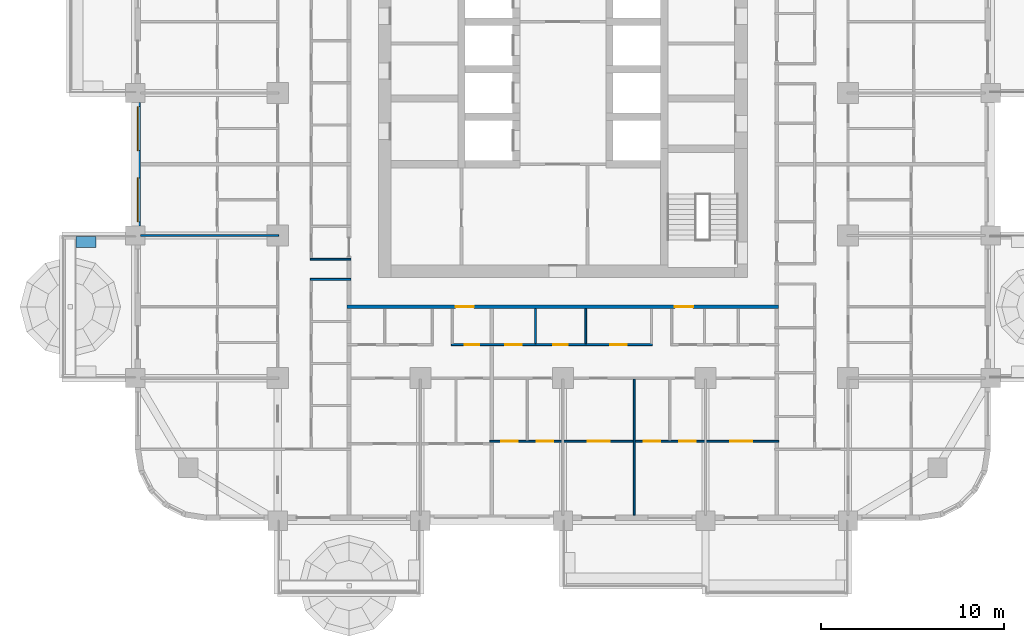
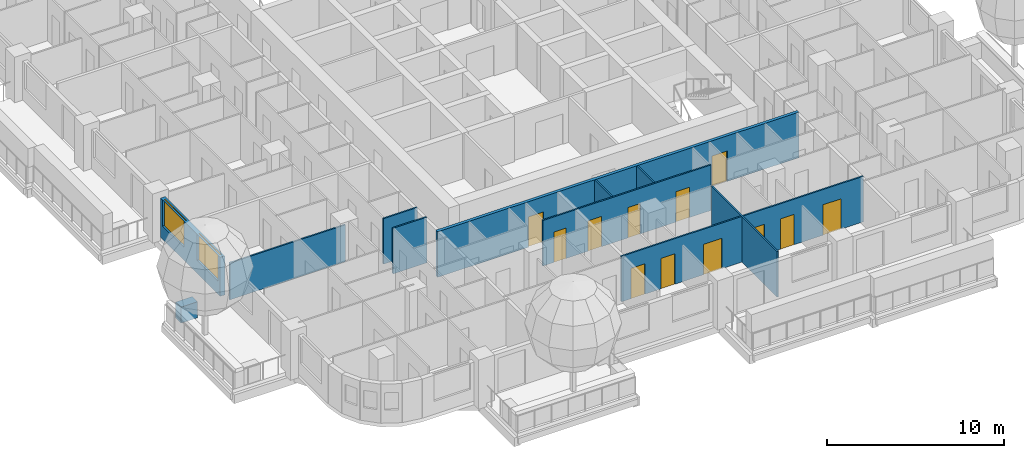
# One storey, part 4 of 19: 12 doors, 11 walls, 2 windows, 14 openings.
"""IFC4 building model written with IfcOpenShell, lengths in metres."""

import ifcopenshell
import ifcopenshell.guid

model = None  # the IFC model being written
_history = None  # IfcOwnerHistory: only IFC2X3 demands one
_inside = {}  # id of a spatial element -> (the spatial element, [elements in it])
_under = {}  # id of a project, library or spatial element -> (it, [spatial elements below it])
_declared = {}  # id of a project -> (the project, [libraries it declares])
_typed = {}  # id of a type object -> (the type object, [elements of that type])
_made_of = {}  # id of a material, layer set ... -> (it, [elements and type objects made of it])


def new_model(schema):
    """Start an empty IFC model of exactly this schema.

    Asked for "IFC4X3", IfcOpenShell would pick the latest addendum, in which some entities
    have other attributes; the version numbers below select the first issue.
    IFC2X3 requires an IfcOwnerHistory on every rooted entity: one is made here for all.
    """
    global model, _history
    if schema == "IFC4X3":
        model = ifcopenshell.file(schema_version=(4, 3, 0, 0))
    else:
        model = ifcopenshell.file(schema=schema)
    _inside.clear()
    _under.clear()
    _declared.clear()
    _typed.clear()
    _made_of.clear()
    _history = None
    if model.schema == "IFC2X3":
        org = make("IfcOrganization", Name="unknown")
        user = make(
            "IfcPersonAndOrganization",
            ThePerson=make("IfcPerson", FamilyName="unknown"),
            TheOrganization=org,
        )
        app = make(
            "IfcApplication",
            ApplicationDeveloper=org,
            Version="unknown",
            ApplicationFullName="unknown",
            ApplicationIdentifier="unknown",
        )
        _history = make(
            "IfcOwnerHistory",
            OwningUser=user,
            OwningApplication=app,
            ChangeAction="ADDED",
            CreationDate=0,
        )
    return model


def make(cls, **values):
    """One entity of the class cls with the attributes given. An attribute that is None is left unset."""
    return model.create_entity(
        cls, **{name: value for name, value in values.items() if value is not None}
    )


def rooted(cls, **values):
    """An entity with a GlobalId (a new one), such as an element, a storey or a relation."""
    return make(cls, GlobalId=ifcopenshell.guid.new(), OwnerHistory=_history, **values)


def si_unit(unit_type, name, prefix=None):
    """IfcSIUnit, for example si_unit("LENGTHUNIT", "METRE", prefix="MILLI")."""
    return make("IfcSIUnit", UnitType=unit_type, Prefix=prefix, Name=name)


def assignment(units):
    """IfcUnitAssignment: the units of a project."""
    return None if units is None else make("IfcUnitAssignment", Units=units)


def point(xyz):
    """IfcCartesianPoint."""
    return None if xyz is None else make("IfcCartesianPoint", Coordinates=xyz)


def direction(xyz):
    """IfcDirection."""
    return None if xyz is None else make("IfcDirection", DirectionRatios=xyz)


def frame(location, z_axis=None, x_axis=None):
    """IfcAxis2Placement3D, a coordinate frame: its origin and axes. An axis left out is left unset."""
    return make(
        "IfcAxis2Placement3D",
        Location=point(location),
        Axis=direction(z_axis),
        RefDirection=direction(x_axis),
    )


def frame_2d(location, x_axis=None):
    """IfcAxis2Placement2D, a coordinate frame in the plane: its origin and x axis."""
    return make(
        "IfcAxis2Placement2D", Location=point(location), RefDirection=direction(x_axis)
    )


def origin():
    """The frame at (0, 0, 0) with its axes left unset."""
    return frame((0.0, 0.0, 0.0))


def place(relative_to, where):
    """IfcLocalPlacement: puts the frame where relative to a parent placement (None: the world)."""
    return make(
        "IfcLocalPlacement", PlacementRelTo=relative_to, RelativePlacement=where
    )


def context(
    kind, dimensions, precision=None, world=None, true_north=None, identifier=None
):
    """IfcGeometricRepresentationContext, for example the 3D "Model" context."""
    return make(
        "IfcGeometricRepresentationContext",
        ContextIdentifier=identifier,
        ContextType=kind,
        CoordinateSpaceDimension=dimensions,
        Precision=precision,
        WorldCoordinateSystem=world,
        TrueNorth=true_north,
    )


def subcontext(parent, identifier, kind, view, scale=None):
    """IfcGeometricRepresentationSubContext, for example "Body" below "Model"."""
    return make(
        "IfcGeometricRepresentationSubContext",
        ContextIdentifier=identifier,
        ContextType=kind,
        ParentContext=parent,
        TargetScale=scale,
        TargetView=view,
    )


def project(units=None, contexts=None):
    """IfcProject with its units and contexts."""
    return rooted(
        "IfcProject",
        Name="project",
        RepresentationContexts=contexts,
        UnitsInContext=assignment(units),
    )


def spatial(cls, under=None, at=None, **own):
    """A site, building, storey or space (cls), placed at a placement, below another one or the project."""
    s = rooted(cls, ObjectPlacement=at, **own)
    if under is not None:
        _under.setdefault(under.id(), (under, []))[1].append(s)
    return s


def profile(cls, at=None, kind="AREA", **sizes):
    """A parametric profile (cls). Its sizes go by their IFC names, for example OverallWidth=200.0."""
    return make(cls, ProfileType=kind, Position=at, **sizes)


def rectangle(**sizes):
    """IfcRectangleProfileDef."""
    return profile("IfcRectangleProfileDef", **sizes)


def extrude(swept, where, along, depth):
    """IfcExtrudedAreaSolid: the profile swept, set in the frame where, extruded along a direction by depth."""
    return make(
        "IfcExtrudedAreaSolid",
        SweptArea=swept,
        Position=where,
        ExtrudedDirection=direction(along),
        Depth=depth,
    )


def shape(context_of_items, identifier, shape_type, items):
    """IfcShapeRepresentation: the items that make up one representation, for example the "Body"."""
    return make(
        "IfcShapeRepresentation",
        ContextOfItems=context_of_items,
        RepresentationIdentifier=identifier,
        RepresentationType=shape_type,
        Items=items,
    )


def material(Name=None, Category=None):
    """IfcMaterial."""
    return make("IfcMaterial", Name=Name, Category=Category)


def layer(
    of_material, thickness, ventilated=None, Name=None, Category=None, Priority=None
):
    """IfcMaterialLayer: one layer of a wall or slab, of a material (None: an air gap)."""
    return make(
        "IfcMaterialLayer",
        Material=of_material,
        LayerThickness=thickness,
        IsVentilated=ventilated,
        Name=Name,
        Category=Category,
        Priority=Priority,
    )


def layer_set(layers, Name=None):
    """IfcMaterialLayerSet."""
    return make("IfcMaterialLayerSet", MaterialLayers=layers, LayerSetName=Name)


def made_of(thing, what):
    """Note that an element or type object is made of a material, layer set ...; save() writes the relation."""
    if what is not None:
        _made_of.setdefault(what.id(), (what, []))[1].append(thing)
    return thing


def type_object(cls, material=None, **own):
    """A type object (cls), such as IfcWallType, which elements share."""
    return made_of(rooted(cls, **own), material)


def element(
    cls,
    number,
    at=None,
    inside=None,
    cuts=None,
    type_object=None,
    material=None,
    context=None,
    identifier="Body",
    shape_type=None,
    held_by="IfcProductDefinitionShape",
    body=None,
    shapes=None,
    **own,
):
    """One element of the class cls, such as IfcWall. Its Tag is "e" and its number.

    at: its placement. inside: the storey or other place that contains it. cuts: it is an
    opening in that element (IfcRelVoidsElement). A single representation is given by context,
    identifier, shape_type and body (its items); several are given by shapes. held_by: the class
    of the entity that holds the representations. save() writes the other relations.
    """
    e = rooted(cls, Tag="e%d" % number, ObjectPlacement=at, **own)
    if body is not None:
        shapes = [shape(context, identifier, shape_type, body)]
    if shapes is not None:
        e.Representation = make(held_by, Representations=shapes)
    if inside is not None:
        _inside.setdefault(inside.id(), (inside, []))[1].append(e)
    if cuts is not None:
        rooted(
            "IfcRelVoidsElement", RelatingBuildingElement=cuts, RelatedOpeningElement=e
        )
    if type_object is not None:
        _typed.setdefault(type_object.id(), (type_object, []))[1].append(e)
    return made_of(e, material)


def fill(opening, filler):
    """IfcRelFillsElement: the door or window that sits in an opening."""
    return rooted(
        "IfcRelFillsElement",
        RelatingOpeningElement=opening,
        RelatedBuildingElement=filler,
    )


def aggregate(whole, parts):
    """IfcRelAggregates: a whole, such as a stair, and the parts it consists of."""
    return rooted("IfcRelAggregates", RelatingObject=whole, RelatedObjects=parts)


def save(model, path):
    """Write the relations noted so far, then the file.

    IfcRelAggregates (storeys below a building ...), IfcRelContainedInSpatialStructure (elements
    in a storey), IfcRelDefinesByType, IfcRelAssociatesMaterial and IfcRelDeclares: one each for
    every whole, place, type object, material and project.
    """
    for whole, parts in _under.values():
        aggregate(whole, parts)
    for where, things in _inside.values():
        rooted(
            "IfcRelContainedInSpatialStructure",
            RelatedElements=things,
            RelatingStructure=where,
        )
    for kind, things in _typed.values():
        rooted("IfcRelDefinesByType", RelatedObjects=things, RelatingType=kind)
    for what, things in _made_of.values():
        rooted("IfcRelAssociatesMaterial", RelatedObjects=things, RelatingMaterial=what)
    for by, libraries in _declared.values():
        rooted("IfcRelDeclares", RelatingContext=by, RelatedDefinitions=libraries)
    model.write(path)


model = new_model("IFC4")

# Units and contexts
model_context = context("Model", 3, precision=1e-05, world=origin(), true_north=direction((0.0, 1.0)))
body_context = subcontext(model_context, "Body", "Model", "MODEL_VIEW")
ifc_project = project(units=[si_unit("LENGTHUNIT", "METRE"), si_unit("AREAUNIT", "SQUARE_METRE"), si_unit("VOLUMEUNIT", "CUBIC_METRE"), si_unit("PLANEANGLEUNIT", "RADIAN"), si_unit("MASSUNIT", "GRAM", prefix="KILO")], contexts=[model_context])

# Site, building, storey
site_placement = place(None, origin())
site = spatial("IfcSite", under=ifc_project, at=site_placement, CompositionType="ELEMENT")
building_placement = place(site_placement, origin())
building = spatial("IfcBuilding", under=site, at=building_placement, Name="Ludao Terraces", CompositionType="ELEMENT")
storey_placement = place(building_placement, frame((0.0, 0.0, 36.5)))
storey = spatial("IfcBuildingStorey", under=building, at=storey_placement, Name="L09", CompositionType="ELEMENT", Elevation=36.5)

# Wall
ifc_material_1 = material(Name="Concrete C40", Category="concrete")
ifc_layer_1 = layer(ifc_material_1, 0.60009765625)
ifc_layer_set_1 = layer_set([ifc_layer_1], Name="ENV Planter trough 600")
wall_type_1 = type_object("IfcWallType", Name="ENV Planter trough 600", PredefinedType="USERDEFINED", material=ifc_layer_set_1)
wall_1_placement = place(storey_placement, frame((58.35009765625, 56.85009765625, 0.0), z_axis=(0.0, 0.0, 1.0), x_axis=(1.0, 0.0, 0.0)))
element("IfcWall", 1, at=wall_1_placement, inside=storey, type_object=wall_type_1, Name="PL-L09-W1-SB", ObjectType="PLANTER", PredefinedType="USERDEFINED", context=body_context, shape_type="SweptSolid", body=[
    extrude(rectangle(XDim=1.099853515625, YDim=0.60009765625, at=frame_2d((0.5498046875, 0.0))), origin(), (0.0, 0.0, 1.0), 1.10009765625),
])

# Wall, openings, windows
ifc_material_2 = material(Name="Granite cladding", Category="masonry")
ifc_layer_2 = layer(ifc_material_2, 0.0400390625, Category="stone")
ifc_material_3 = material(Name="Mineral wool")
ifc_layer_3 = layer(ifc_material_3, 0.06005859375)
ifc_layer_4 = layer(ifc_material_1, 0.199951171875, Category="concrete")
ifc_layer_set_2 = layer_set([ifc_layer_2, ifc_layer_3, ifc_layer_4], Name="ENV Stone-clad wall 300")
wall_type_2 = type_object("IfcWallType", Name="ENV Stone-clad wall 300", PredefinedType="SOLIDWALL", material=ifc_layer_set_2)
wall_2_placement = place(storey_placement, frame((61.75, 57.72509765625, 0.0), z_axis=(0.0, 0.0, 1.0), x_axis=(0.0, 1.0, 0.0)))
wall_2 = element("IfcWall", 2, at=wall_2_placement, inside=storey, type_object=wall_type_2, Name="EW-L09-W3", PredefinedType="SOLIDWALL", context=body_context, shape_type="SweptSolid", body=[
    extrude(rectangle(XDim=6.75, YDim=0.300048828125, at=frame_2d((3.375, 0.0))), origin(), (0.0, 0.0, 1.0), 2.699951171875),
])
opening_1_placement = place(wall_2_placement, frame((0.22509765625, 0.0, 0.89990234375)))
opening_1 = element("IfcOpeningElement", 3, at=opening_1_placement, cuts=wall_2, Name="Opening W1", PredefinedType="OPENING", context=body_context, shape_type="SweptSolid", body=[
    extrude(rectangle(XDim=2.39990234375, YDim=1.800048828125, at=frame_2d((1.199951171875, 0.89990234375))), frame((0.0, 0.16015625, 0.0), z_axis=(0.0, -1.0, 0.0), x_axis=(1.0, 0.0, 0.0)), (0.0, 0.0, 1.0), 0.320068359375),
])
opening_2_placement = place(wall_2_placement, frame((4.125, 0.0, 0.89990234375)))
opening_2 = element("IfcOpeningElement", 4, at=opening_2_placement, cuts=wall_2, Name="Opening W1", PredefinedType="OPENING", context=body_context, shape_type="SweptSolid", body=[
    extrude(rectangle(XDim=2.39990234375, YDim=1.800048828125, at=frame_2d((1.199951171875, 0.89990234375))), frame((0.0, 0.16015625, 0.0), z_axis=(0.0, -1.0, 0.0), x_axis=(1.0, 0.0, 0.0)), (0.0, 0.0, 1.0), 0.320068359375),
])
ifc_material_4 = material(Name="Clear glass in aluminium frame", Category="aluminium")
ifc_layer_5 = layer(ifc_material_4, 0.06005859375)
ifc_layer_set_3 = layer_set([ifc_layer_5], Name="ENV Window W1 2400x1800")
window_type = type_object("IfcWindowType", Name="ENV Window W1 2400x1800", PartitioningType="DOUBLE_PANEL_VERTICAL", PredefinedType="WINDOW", material=ifc_layer_set_3)
window_1_placement = place(opening_1_placement, origin())
window_1 = element("IfcWindow", 5, at=window_1_placement, inside=storey, type_object=window_type, Name="W-L09-W3-1", OverallHeight=1.800048828125, OverallWidth=2.39990234375, PartitioningType="DOUBLE_PANEL_VERTICAL", PredefinedType="WINDOW", context=body_context, shape_type="SweptSolid", body=[
    extrude(rectangle(XDim=2.39990234375, YDim=1.800048828125, at=frame_2d((1.199951171875, 0.89990234375))), frame((0.0, 0.030029296875, 0.0), z_axis=(0.0, -1.0, 0.0), x_axis=(1.0, 0.0, 0.0)), (0.0, 0.0, 1.0), 0.06005859375),
])
fill(opening_1, window_1)
window_2_placement = place(opening_2_placement, origin())
window_2 = element("IfcWindow", 6, at=window_2_placement, inside=storey, type_object=window_type, Name="W-L09-W3-2", OverallHeight=1.800048828125, OverallWidth=2.39990234375, PartitioningType="DOUBLE_PANEL_VERTICAL", PredefinedType="WINDOW", context=body_context, shape_type="SweptSolid", body=[
    extrude(rectangle(XDim=2.39990234375, YDim=1.800048828125, at=frame_2d((1.199951171875, 0.89990234375))), frame((0.0, 0.030029296875, 0.0), z_axis=(0.0, -1.0, 0.0), x_axis=(1.0, 0.0, 0.0)), (0.0, 0.0, 1.0), 0.06005859375),
])
fill(opening_2, window_2)

# Wall, openings, doors
ifc_material_5 = material(Name="Autoclaved aerated concrete block B06 A3.5", Category="concrete")
ifc_layer_6 = layer(ifc_material_5, 0.199951171875)
ifc_layer_set_4 = layer_set([ifc_layer_6], Name="INT Entrance wall 200")
wall_type_3 = type_object("IfcWallType", Name="INT Entrance wall 200", PredefinedType="PARTITIONING", material=ifc_layer_set_4)
wall_3_placement = place(storey_placement, frame((73.2001953125, 53.300048828125, 0.0), z_axis=(0.0, 0.0, 1.0), x_axis=(1.0, 0.0, 0.0)))
wall_3 = element("IfcWall", 7, at=wall_3_placement, inside=storey, type_object=wall_type_3, Name="PW-L09-PW019", PredefinedType="PARTITIONING", context=body_context, shape_type="SweptSolid", body=[
    extrude(rectangle(XDim=23.599853515625, YDim=0.199951171875, at=frame_2d((11.7998046875, 0.0))), origin(), (0.0, 0.0, 1.0), 3.14990234375),
])
opening_3_placement = place(wall_3_placement, frame((5.9248046875, 0.0, 0.0)))
opening_3 = element("IfcOpeningElement", 8, at=opening_3_placement, cuts=wall_3, Name="Opening R02-047", PredefinedType="OPENING", context=body_context, shape_type="SweptSolid", body=[
    extrude(rectangle(XDim=1.0, YDim=2.10009765625, at=frame_2d((0.5, 1.050048828125))), frame((0.0, 0.10986328125, 0.0), z_axis=(0.0, -1.0, 0.0), x_axis=(1.0, 0.0, 0.0)), (0.0, 0.0, 1.0), 0.219970703125),
])
opening_4_placement = place(wall_3_placement, frame((17.9248046875, 0.0, 0.0)))
opening_4 = element("IfcOpeningElement", 9, at=opening_4_placement, cuts=wall_3, Name="Opening R02-048", PredefinedType="OPENING", context=body_context, shape_type="SweptSolid", body=[
    extrude(rectangle(XDim=1.0, YDim=2.10009765625, at=frame_2d((0.5, 1.050048828125))), frame((0.0, 0.10986328125, 0.0), z_axis=(0.0, -1.0, 0.0), x_axis=(1.0, 0.0, 0.0)), (0.0, 0.0, 1.0), 0.219970703125),
])
ifc_material_6 = material(Name="Steel Q235", Category="steel")
door_type_1 = type_object("IfcDoorType", Name="INT Flat entrance door 1000", OperationType="SINGLE_SWING_LEFT", PredefinedType="DOOR", material=ifc_material_6)
door_1_placement = place(opening_3_placement, origin())
door_1 = element("IfcDoor", 10, at=door_1_placement, inside=storey, type_object=door_type_1, Name="DOOR 047", OperationType="SINGLE_SWING_LEFT", OverallHeight=2.10009765625, OverallWidth=1.0, PredefinedType="DOOR", context=body_context, shape_type="SweptSolid", body=[
    extrude(rectangle(XDim=1.0, YDim=2.10009765625, at=frame_2d((0.5, 1.050048828125))), frame((0.0, 0.02490234375, 0.0), z_axis=(0.0, -1.0, 0.0), x_axis=(1.0, 0.0, 0.0)), (0.0, 0.0, 1.0), 0.050048828125),
])
fill(opening_3, door_1)
door_2_placement = place(opening_4_placement, origin())
door_2 = element("IfcDoor", 11, at=door_2_placement, inside=storey, type_object=door_type_1, Name="DOOR 048", OperationType="SINGLE_SWING_LEFT", OverallHeight=2.10009765625, OverallWidth=1.0, PredefinedType="DOOR", context=body_context, shape_type="SweptSolid", body=[
    extrude(rectangle(XDim=1.0, YDim=2.10009765625, at=frame_2d((0.5, 1.050048828125))), frame((0.0, 0.02490234375, 0.0), z_axis=(0.0, -1.0, 0.0), x_axis=(1.0, 0.0, 0.0)), (0.0, 0.0, 1.0), 0.050048828125),
])
fill(opening_4, door_2)

ifc_material_7 = material(Name="Gypsum plasterboard", Category="gypsum")
ifc_layer_7 = layer(ifc_material_7, 0.012451171875, Category="gypsum")
ifc_layer_8 = layer(ifc_material_3, 0.06005859375, Name="insulation")
ifc_layer_9 = layer(ifc_material_6, 0.014892578125, Name="stud")
ifc_layer_10 = layer(ifc_material_7, 0.012451171875, Category="gypsum")
ifc_layer_set_5 = layer_set([ifc_layer_7, ifc_layer_8, ifc_layer_9, ifc_layer_10], Name="INT Partition 100")
wall_type_4 = type_object("IfcWallType", Name="INT Partition 100", PredefinedType="PARTITIONING", material=ifc_layer_set_5)
wall_4_placement = place(storey_placement, frame((81.0, 45.949951171875, 0.0), z_axis=(0.0, 0.0, 1.0), x_axis=(1.0, 0.0, 0.0)))
wall_4 = element("IfcWall", 12, at=wall_4_placement, inside=storey, type_object=wall_type_4, Name="PW-L09-PW003", PredefinedType="PARTITIONING", context=body_context, shape_type="SweptSolid", body=[
    extrude(rectangle(XDim=15.800048828125, YDim=0.10009765625, at=frame_2d((7.89990234375, 0.0))), origin(), (0.0, 0.0, 1.0), 3.14990234375),
])
opening_5_placement = place(wall_4_placement, frame((0.625, 0.0, 0.0)))
opening_5 = element("IfcOpeningElement", 13, at=opening_5_placement, cuts=wall_4, Name="Opening R02-010", PredefinedType="OPENING", context=body_context, shape_type="SweptSolid", body=[
    extrude(rectangle(XDim=0.89990234375, YDim=2.10009765625, at=frame_2d((0.449951171875, 1.050048828125))), frame((0.0, 0.06005859375, 0.0), z_axis=(0.0, -1.0, 0.0), x_axis=(1.0, 0.0, 0.0)), (0.0, 0.0, 1.0), 0.1201171875),
])
opening_6_placement = place(wall_4_placement, frame((2.5751953125, 0.0, 0.0)))
opening_6 = element("IfcOpeningElement", 14, at=opening_6_placement, cuts=wall_4, Name="Opening R02-011", PredefinedType="OPENING", context=body_context, shape_type="SweptSolid", body=[
    extrude(rectangle(XDim=0.89990234375, YDim=2.10009765625, at=frame_2d((0.449951171875, 1.050048828125))), frame((0.0, 0.06005859375, 0.0), z_axis=(0.0, -1.0, 0.0), x_axis=(1.0, 0.0, 0.0)), (0.0, 0.0, 1.0), 0.1201171875),
])
opening_7_placement = place(wall_4_placement, frame((5.35009765625, 0.0, 0.0)))
opening_7 = element("IfcOpeningElement", 15, at=opening_7_placement, cuts=wall_4, Name="Opening R02-012", PredefinedType="OPENING", context=body_context, shape_type="SweptSolid", body=[
    extrude(rectangle(XDim=1.199951171875, YDim=2.10009765625, at=frame_2d((0.60009765625, 1.050048828125))), frame((0.0, 0.06005859375, 0.0), z_axis=(0.0, -1.0, 0.0), x_axis=(1.0, 0.0, 0.0)), (0.0, 0.0, 1.0), 0.1201171875),
])
opening_8_placement = place(wall_4_placement, frame((8.425048828125, 0.0, 0.0)))
opening_8 = element("IfcOpeningElement", 16, at=opening_8_placement, cuts=wall_4, Name="Opening R02-013", PredefinedType="OPENING", context=body_context, shape_type="SweptSolid", body=[
    extrude(rectangle(XDim=0.89990234375, YDim=2.10009765625, at=frame_2d((0.449951171875, 1.050048828125))), frame((0.0, 0.06005859375, 0.0), z_axis=(0.0, -1.0, 0.0), x_axis=(1.0, 0.0, 0.0)), (0.0, 0.0, 1.0), 0.1201171875),
])
opening_9_placement = place(wall_4_placement, frame((10.375, 0.0, 0.0)))
opening_9 = element("IfcOpeningElement", 17, at=opening_9_placement, cuts=wall_4, Name="Opening R02-014", PredefinedType="OPENING", context=body_context, shape_type="SweptSolid", body=[
    extrude(rectangle(XDim=0.89990234375, YDim=2.10009765625, at=frame_2d((0.449951171875, 1.050048828125))), frame((0.0, 0.06005859375, 0.0), z_axis=(0.0, -1.0, 0.0), x_axis=(1.0, 0.0, 0.0)), (0.0, 0.0, 1.0), 0.1201171875),
])
opening_10_placement = place(wall_4_placement, frame((13.150146484375, 0.0, 0.0)))
opening_10 = element("IfcOpeningElement", 18, at=opening_10_placement, cuts=wall_4, Name="Opening R02-015", PredefinedType="OPENING", context=body_context, shape_type="SweptSolid", body=[
    extrude(rectangle(XDim=1.199951171875, YDim=2.10009765625, at=frame_2d((0.60009765625, 1.050048828125))), frame((0.0, 0.06005859375, 0.0), z_axis=(0.0, -1.0, 0.0), x_axis=(1.0, 0.0, 0.0)), (0.0, 0.0, 1.0), 0.1201171875),
])
ifc_material_8 = material(Name="Timber door leaf", Category="wood")
door_type_2 = type_object("IfcDoorType", Name="INT Bathroom door 900", OperationType="SINGLE_SWING_LEFT", PredefinedType="DOOR", material=ifc_material_8)
door_3_placement = place(opening_5_placement, origin())
door_3 = element("IfcDoor", 19, at=door_3_placement, inside=storey, type_object=door_type_2, Name="DOOR 010", OperationType="SINGLE_SWING_LEFT", OverallHeight=2.10009765625, OverallWidth=0.89990234375, PredefinedType="DOOR", context=body_context, shape_type="SweptSolid", body=[
    extrude(rectangle(XDim=0.89990234375, YDim=2.10009765625, at=frame_2d((0.449951171875, 1.050048828125))), frame((0.0, 0.02490234375, 0.0), z_axis=(0.0, -1.0, 0.0), x_axis=(1.0, 0.0, 0.0)), (0.0, 0.0, 1.0), 0.050048828125),
])
fill(opening_5, door_3)
door_4_placement = place(opening_8_placement, origin())
door_4 = element("IfcDoor", 20, at=door_4_placement, inside=storey, type_object=door_type_2, Name="DOOR 013", OperationType="SINGLE_SWING_LEFT", OverallHeight=2.10009765625, OverallWidth=0.89990234375, PredefinedType="DOOR", context=body_context, shape_type="SweptSolid", body=[
    extrude(rectangle(XDim=0.89990234375, YDim=2.10009765625, at=frame_2d((0.449951171875, 1.050048828125))), frame((0.0, 0.02490234375, 0.0), z_axis=(0.0, -1.0, 0.0), x_axis=(1.0, 0.0, 0.0)), (0.0, 0.0, 1.0), 0.050048828125),
])
fill(opening_8, door_4)
door_type_3 = type_object("IfcDoorType", Name="INT Double door 1200", OperationType="DOUBLE_DOOR_SINGLE_SWING", PredefinedType="DOOR", material=ifc_material_8)
door_5_placement = place(opening_7_placement, origin())
door_5 = element("IfcDoor", 21, at=door_5_placement, inside=storey, type_object=door_type_3, Name="DOOR 012", OperationType="DOUBLE_DOOR_SINGLE_SWING", OverallHeight=2.10009765625, OverallWidth=1.199951171875, PredefinedType="DOOR", context=body_context, shape_type="SweptSolid", body=[
    extrude(rectangle(XDim=1.199951171875, YDim=2.10009765625, at=frame_2d((0.60009765625, 1.050048828125))), frame((0.0, 0.02490234375, 0.0), z_axis=(0.0, -1.0, 0.0), x_axis=(1.0, 0.0, 0.0)), (0.0, 0.0, 1.0), 0.050048828125),
])
fill(opening_7, door_5)
door_6_placement = place(opening_10_placement, origin())
door_6 = element("IfcDoor", 22, at=door_6_placement, inside=storey, type_object=door_type_3, Name="DOOR 015", OperationType="DOUBLE_DOOR_SINGLE_SWING", OverallHeight=2.10009765625, OverallWidth=1.199951171875, PredefinedType="DOOR", context=body_context, shape_type="SweptSolid", body=[
    extrude(rectangle(XDim=1.199951171875, YDim=2.10009765625, at=frame_2d((0.60009765625, 1.050048828125))), frame((0.0, 0.02490234375, 0.0), z_axis=(0.0, -1.0, 0.0), x_axis=(1.0, 0.0, 0.0)), (0.0, 0.0, 1.0), 0.050048828125),
])
fill(opening_10, door_6)
door_type_4 = type_object("IfcDoorType", Name="INT Room door 900", OperationType="SINGLE_SWING_LEFT", PredefinedType="DOOR", material=ifc_material_8)
door_7_placement = place(opening_6_placement, origin())
door_7 = element("IfcDoor", 23, at=door_7_placement, inside=storey, type_object=door_type_4, Name="DOOR 011", OperationType="SINGLE_SWING_LEFT", OverallHeight=2.10009765625, OverallWidth=0.89990234375, PredefinedType="DOOR", context=body_context, shape_type="SweptSolid", body=[
    extrude(rectangle(XDim=0.89990234375, YDim=2.10009765625, at=frame_2d((0.449951171875, 1.050048828125))), frame((0.0, 0.02490234375, 0.0), z_axis=(0.0, -1.0, 0.0), x_axis=(1.0, 0.0, 0.0)), (0.0, 0.0, 1.0), 0.050048828125),
])
fill(opening_6, door_7)
door_8_placement = place(opening_9_placement, origin())
door_8 = element("IfcDoor", 24, at=door_8_placement, inside=storey, type_object=door_type_4, Name="DOOR 014", OperationType="SINGLE_SWING_RIGHT", OverallHeight=2.10009765625, OverallWidth=0.89990234375, PredefinedType="DOOR", context=body_context, shape_type="SweptSolid", body=[
    extrude(rectangle(XDim=0.89990234375, YDim=2.10009765625, at=frame_2d((0.449951171875, 1.050048828125))), frame((0.0, 0.02490234375, 0.0), z_axis=(0.0, -1.0, 0.0), x_axis=(1.0, 0.0, 0.0)), (0.0, 0.0, 1.0), 0.050048828125),
])
fill(opening_9, door_8)

wall_5_placement = place(storey_placement, frame((78.900146484375, 51.22998046875, 0.0), z_axis=(0.0, 0.0, 1.0), x_axis=(1.0, 0.0, 0.0)))
wall_5 = element("IfcWall", 25, at=wall_5_placement, inside=storey, type_object=wall_type_4, Name="PW-L09-PW012", PredefinedType="PARTITIONING", context=body_context, shape_type="SweptSolid", body=[
    extrude(rectangle(XDim=11.0, YDim=0.10009765625, at=frame_2d((5.5, 0.0))), origin(), (0.0, 0.0, 1.0), 3.14990234375),
])
opening_11_placement = place(wall_5_placement, frame((0.72509765625, 0.0, 0.0)))
opening_11 = element("IfcOpeningElement", 26, at=opening_11_placement, cuts=wall_5, Name="Opening R02-035", PredefinedType="OPENING", context=body_context, shape_type="SweptSolid", body=[
    extrude(rectangle(XDim=0.800048828125, YDim=2.10009765625, at=frame_2d((0.39990234375, 1.050048828125))), frame((0.0, 0.06005859375, 0.0), z_axis=(0.0, -1.0, 0.0), x_axis=(1.0, 0.0, 0.0)), (0.0, 0.0, 1.0), 0.1201171875),
])
opening_12_placement = place(wall_5_placement, frame((2.949951171875, 0.0, 0.0)))
opening_12 = element("IfcOpeningElement", 27, at=opening_12_placement, cuts=wall_5, Name="Opening R02-036", PredefinedType="OPENING", context=body_context, shape_type="SweptSolid", body=[
    extrude(rectangle(XDim=0.89990234375, YDim=2.10009765625, at=frame_2d((0.449951171875, 1.050048828125))), frame((0.0, 0.06005859375, 0.0), z_axis=(0.0, -1.0, 0.0), x_axis=(1.0, 0.0, 0.0)), (0.0, 0.0, 1.0), 0.1201171875),
])
opening_13_placement = place(wall_5_placement, frame((5.574951171875, 0.0, 0.0)))
opening_13 = element("IfcOpeningElement", 28, at=opening_13_placement, cuts=wall_5, Name="Opening R02-037", PredefinedType="OPENING", context=body_context, shape_type="SweptSolid", body=[
    extrude(rectangle(XDim=0.800048828125, YDim=2.10009765625, at=frame_2d((0.39990234375, 1.050048828125))), frame((0.0, 0.06005859375, 0.0), z_axis=(0.0, -1.0, 0.0), x_axis=(1.0, 0.0, 0.0)), (0.0, 0.0, 1.0), 0.1201171875),
])
opening_14_placement = place(wall_5_placement, frame((8.699951171875, 0.0, 0.0)))
opening_14 = element("IfcOpeningElement", 29, at=opening_14_placement, cuts=wall_5, Name="Opening R02-038", PredefinedType="OPENING", context=body_context, shape_type="SweptSolid", body=[
    extrude(rectangle(XDim=0.89990234375, YDim=2.10009765625, at=frame_2d((0.449951171875, 1.050048828125))), frame((0.0, 0.06005859375, 0.0), z_axis=(0.0, -1.0, 0.0), x_axis=(1.0, 0.0, 0.0)), (0.0, 0.0, 1.0), 0.1201171875),
])
door_9_placement = place(opening_12_placement, origin())
door_9 = element("IfcDoor", 30, at=door_9_placement, inside=storey, type_object=door_type_2, Name="DOOR 036", OperationType="SINGLE_SWING_LEFT", OverallHeight=2.10009765625, OverallWidth=0.89990234375, PredefinedType="DOOR", context=body_context, shape_type="SweptSolid", body=[
    extrude(rectangle(XDim=0.89990234375, YDim=2.10009765625, at=frame_2d((0.449951171875, 1.050048828125))), frame((0.0, 0.02490234375, 0.0), z_axis=(0.0, -1.0, 0.0), x_axis=(1.0, 0.0, 0.0)), (0.0, 0.0, 1.0), 0.050048828125),
])
fill(opening_12, door_9)
door_10_placement = place(opening_14_placement, origin())
door_10 = element("IfcDoor", 31, at=door_10_placement, inside=storey, type_object=door_type_4, Name="DOOR 038", OperationType="SINGLE_SWING_RIGHT", OverallHeight=2.10009765625, OverallWidth=0.89990234375, PredefinedType="DOOR", context=body_context, shape_type="SweptSolid", body=[
    extrude(rectangle(XDim=0.89990234375, YDim=2.10009765625, at=frame_2d((0.449951171875, 1.050048828125))), frame((0.0, 0.02490234375, 0.0), z_axis=(0.0, -1.0, 0.0), x_axis=(1.0, 0.0, 0.0)), (0.0, 0.0, 1.0), 0.050048828125),
])
fill(opening_14, door_10)
door_type_5 = type_object("IfcDoorType", Name="INT Store door 800", OperationType="SINGLE_SWING_LEFT", PredefinedType="DOOR", material=ifc_material_8)
door_11_placement = place(opening_11_placement, origin())
door_11 = element("IfcDoor", 32, at=door_11_placement, inside=storey, type_object=door_type_5, Name="DOOR 035", OperationType="SINGLE_SWING_RIGHT", OverallHeight=2.10009765625, OverallWidth=0.800048828125, PredefinedType="DOOR", context=body_context, shape_type="SweptSolid", body=[
    extrude(rectangle(XDim=0.800048828125, YDim=2.10009765625, at=frame_2d((0.39990234375, 1.050048828125))), frame((0.0, 0.02490234375, 0.0), z_axis=(0.0, -1.0, 0.0), x_axis=(1.0, 0.0, 0.0)), (0.0, 0.0, 1.0), 0.050048828125),
])
fill(opening_11, door_11)
door_12_placement = place(opening_13_placement, origin())
door_12 = element("IfcDoor", 33, at=door_12_placement, inside=storey, type_object=door_type_5, Name="DOOR 037", OperationType="SINGLE_SWING_LEFT", OverallHeight=2.10009765625, OverallWidth=0.800048828125, PredefinedType="DOOR", context=body_context, shape_type="SweptSolid", body=[
    extrude(rectangle(XDim=0.800048828125, YDim=2.10009765625, at=frame_2d((0.39990234375, 1.050048828125))), frame((0.0, 0.02490234375, 0.0), z_axis=(0.0, -1.0, 0.0), x_axis=(1.0, 0.0, 0.0)), (0.0, 0.0, 1.0), 0.050048828125),
])
fill(opening_13, door_12)

# Walls
for number, where, z_axis, x_axis, name in (
    (34, (71.18017578125, 54.800048828125, 0.0), (0.0, 0.0, 1.0), (1.0, 0.0, 0.0), "PW-L09-PW022"),
    (35, (71.18017578125, 55.89990234375, 0.0), (0.0, 0.0, 1.0), (1.0, 0.0, 0.0), "PW-L09-PW024"),
):
    element("IfcWall", number, at=place(storey_placement, frame(where, z_axis=z_axis, x_axis=x_axis)), inside=storey, type_object=wall_type_4, Name=name, PredefinedType="PARTITIONING", context=body_context, shape_type="SweptSolid", body=[
        extrude(rectangle(XDim=2.219970703125, YDim=0.10009765625, at=frame_2d((1.10986328125, 0.0))), origin(), (0.0, 0.0, 1.0), 3.14990234375),
    ])
wall_6_placement = place(storey_placement, frame((61.900146484375, 57.199951171875, 0.0), z_axis=(0.0, 0.0, 1.0), x_axis=(1.0, 0.0, 0.0)))
element("IfcWall", 36, at=wall_6_placement, inside=storey, type_object=wall_type_4, Name="PW-L09-PW025", PredefinedType="PARTITIONING", context=body_context, shape_type="SweptSolid", body=[
    extrude(rectangle(XDim=7.550048828125, YDim=0.10009765625, at=frame_2d((3.77490234375, 0.0))), origin(), (0.0, 0.0, 1.0), 2.550048828125),
])
for number, where, z_axis, x_axis, name in (
    (37, (83.5, 51.280029296875, 0.0), (0.0, 0.0, 1.0), (0.0, 1.0, 0.0), "PW-L09-PW101"),
    (38, (86.25, 51.280029296875, 0.0), (0.0, 0.0, 1.0), (0.0, 1.0, 0.0), "PW-L09-PW104"),
):
    element("IfcWall", number, at=place(storey_placement, frame(where, z_axis=z_axis, x_axis=x_axis)), inside=storey, type_object=wall_type_4, Name=name, PredefinedType="PARTITIONING", context=body_context, shape_type="SweptSolid", body=[
        extrude(rectangle(XDim=1.920166015625, YDim=0.10009765625, at=frame_2d((0.9599609375, 0.0))), origin(), (0.0, 0.0, 1.0), 3.14990234375),
    ])
wall_7_placement = place(storey_placement, frame((88.89990234375, 41.900146484375, 0.0), z_axis=(0.0, 0.0, 1.0), x_axis=(0.0, 1.0, 0.0)))
element("IfcWall", 39, at=wall_7_placement, inside=storey, type_object=wall_type_4, Name="PW-L09-PW106", PredefinedType="PARTITIONING", context=body_context, shape_type="SweptSolid", body=[
    extrude(rectangle(XDim=7.449951171875, YDim=0.10009765625, at=frame_2d((3.72509765625, 0.0))), origin(), (0.0, 0.0, 1.0), 3.14990234375),
])

save(model, "model.ifc")
